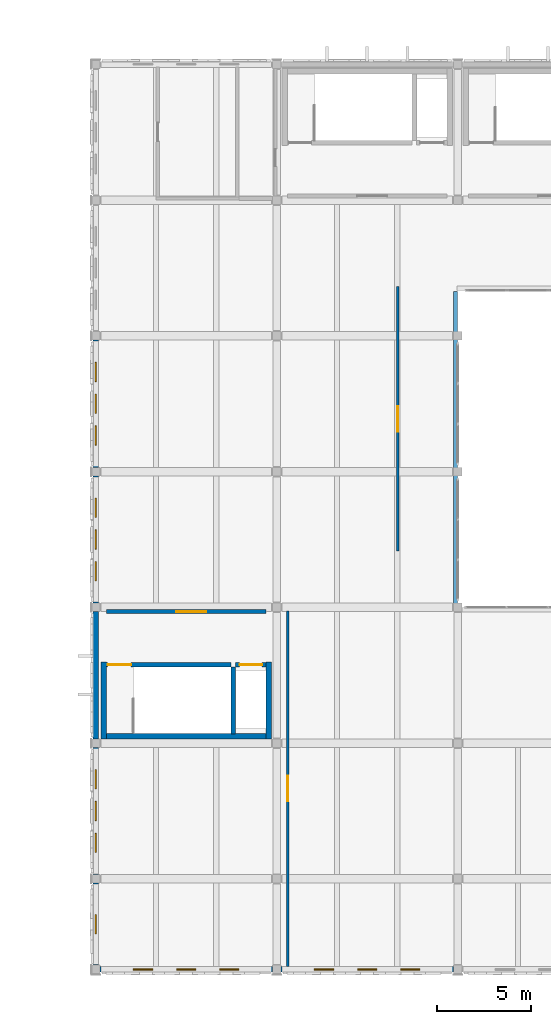
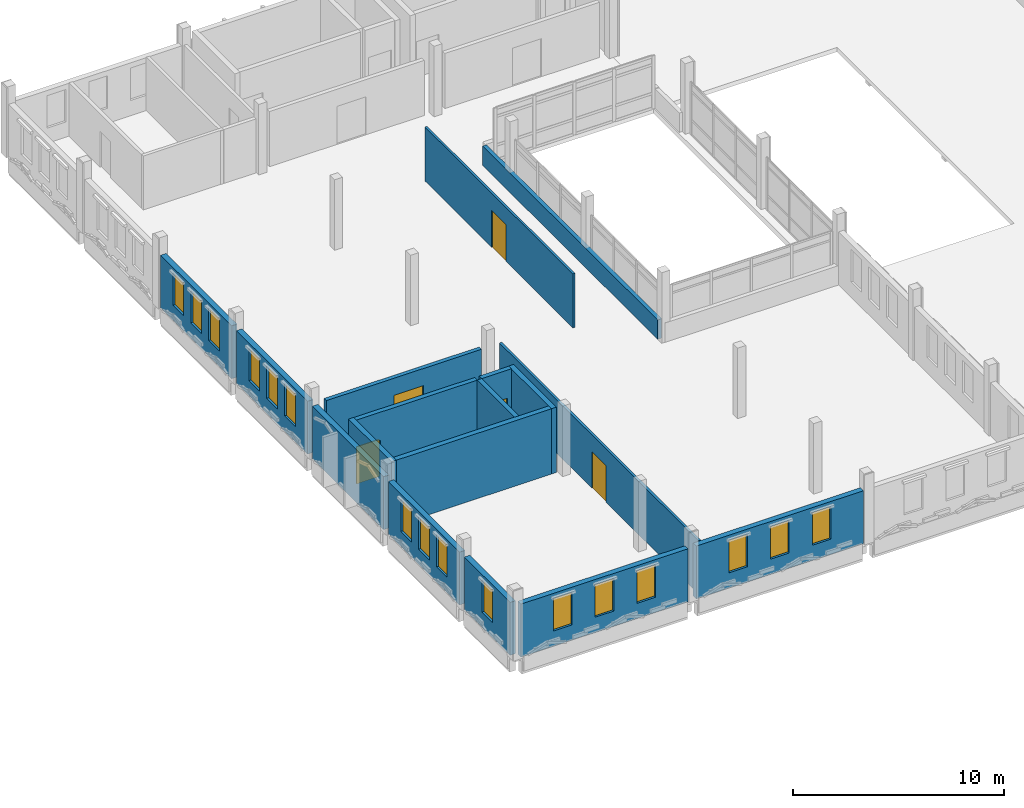
# One storey, part 35 of 50: 17 walls, 16 windows, 5 doors, 21 openings.
"""IFC4 building model written with IfcOpenShell, lengths in metres."""

from ifc_helpers import new_model, si_unit, direction, frame, frame_2d, origin, place, context, subcontext, project, spatial, rectangle, extrude, material, layer, layer_set, type_object, element, fill, save


model = new_model("IFC4")

# Units and contexts
model_context = context("Model", 3, precision=1e-05, world=origin(), true_north=direction((0.0, 1.0)))
body_context = subcontext(model_context, "Body", "Model", "MODEL_VIEW")
ifc_project = project(units=[si_unit("LENGTHUNIT", "METRE"), si_unit("AREAUNIT", "SQUARE_METRE"), si_unit("VOLUMEUNIT", "CUBIC_METRE"), si_unit("PLANEANGLEUNIT", "RADIAN"), si_unit("MASSUNIT", "GRAM", prefix="KILO")], contexts=[model_context])

# Site, building, storey
site_placement = place(None, origin())
site = spatial("IfcSite", under=ifc_project, at=site_placement, CompositionType="ELEMENT")
building_placement = place(site_placement, origin())
building = spatial("IfcBuilding", under=site, at=building_placement, Name="Asteropetra Specialist Clinic", CompositionType="ELEMENT")
storey_placement = place(building_placement, frame((0.0, 0.0, 16.659912109375)))
storey = spatial("IfcBuildingStorey", under=building, at=storey_placement, Name="L04", CompositionType="ELEMENT", Elevation=16.659912109375)

# Wall, openings, windows
ifc_material_1 = material(Name="Chevron sage", Category="masonry")
ifc_layer_1 = layer(ifc_material_1, 0.294921875)
ifc_layer_set_1 = layer_set([ifc_layer_1], Name="Chevron sage")
wall_type_1 = type_object("IfcWallType", Name="EW-CHEV-AEG-295", PredefinedType="SOLIDWALL", material=ifc_layer_set_1)
wall_1_placement = place(storey_placement, frame((105.824951171875, 0.0, 0.0), z_axis=(0.0, 0.0, 1.0), x_axis=(1.0, 0.0, 0.0)))
wall_1 = element("IfcWall", 1, at=wall_1_placement, inside=storey, type_object=wall_type_1, Name="Exterior Wall EW-0279", PredefinedType="SOLIDWALL", context=body_context, shape_type="SweptSolid", body=[
    extrude(rectangle(XDim=9.150146484375, YDim=0.294921875, at=frame_2d((4.5751953125, 0.0))), origin(), (0.0, 0.0, 1.0), 3.06005859375),
])
opening_1_placement = place(wall_1_placement, frame((1.777587890625, 0.0, 0.8798828125)))
opening_1 = element("IfcOpeningElement", 2, at=opening_1_placement, cuts=wall_1, Name="Opening W-0164", PredefinedType="OPENING", context=body_context, shape_type="SweptSolid", body=[
    extrude(rectangle(XDim=1.02001953125, YDim=1.8798828125, at=frame_2d((0.510009765625, 0.93994140625))), frame((0.0, 0.157470703125, 0.0), z_axis=(0.0, -1.0, 0.0), x_axis=(1.0, 0.0, 0.0)), (0.0, 0.0, 1.0), 0.31494140625),
])
opening_2_placement = place(wall_1_placement, frame((4.06494140625, 0.0, 0.8798828125)))
opening_2 = element("IfcOpeningElement", 3, at=opening_2_placement, cuts=wall_1, Name="Opening W-0165", PredefinedType="OPENING", context=body_context, shape_type="SweptSolid", body=[
    extrude(rectangle(XDim=1.02001953125, YDim=1.8798828125, at=frame_2d((0.510009765625, 0.93994140625))), frame((0.0, 0.157470703125, 0.0), z_axis=(0.0, -1.0, 0.0), x_axis=(1.0, 0.0, 0.0)), (0.0, 0.0, 1.0), 0.31494140625),
])
opening_3_placement = place(wall_1_placement, frame((6.3525390625, 0.0, 0.8798828125)))
opening_3 = element("IfcOpeningElement", 4, at=opening_3_placement, cuts=wall_1, Name="Opening W-0166", PredefinedType="OPENING", context=body_context, shape_type="SweptSolid", body=[
    extrude(rectangle(XDim=1.02001953125, YDim=1.8798828125, at=frame_2d((0.510009765625, 0.93994140625))), frame((0.0, 0.157470703125, 0.0), z_axis=(0.0, -1.0, 0.0), x_axis=(1.0, 0.0, 0.0)), (0.0, 0.0, 1.0), 0.31494140625),
])
ifc_material_2 = material(Name="Thermally broken bronze aluminium and low-E glass", Category="aluminium")
window_type = type_object("IfcWindowType", Name="WIN-T31", PartitioningType="SINGLE_PANEL", PredefinedType="WINDOW", material=ifc_material_2)
window_1_placement = place(opening_1_placement, origin())
window_1 = element("IfcWindow", 5, at=window_1_placement, inside=storey, type_object=window_type, Name="Window W-0164", OverallHeight=1.8798828125, OverallWidth=1.02001953125, PartitioningType="SINGLE_PANEL", PredefinedType="WINDOW", context=body_context, shape_type="SweptSolid", body=[
    extrude(rectangle(XDim=1.02001953125, YDim=1.8798828125, at=frame_2d((0.510009765625, 0.93994140625))), frame((0.0, 0.030029296875, 0.0), z_axis=(0.0, -1.0, 0.0), x_axis=(1.0, 0.0, 0.0)), (0.0, 0.0, 1.0), 0.06005859375),
])
fill(opening_1, window_1)
window_2_placement = place(opening_2_placement, origin())
window_2 = element("IfcWindow", 6, at=window_2_placement, inside=storey, type_object=window_type, Name="Window W-0165", OverallHeight=1.8798828125, OverallWidth=1.02001953125, PartitioningType="SINGLE_PANEL", PredefinedType="WINDOW", context=body_context, shape_type="SweptSolid", body=[
    extrude(rectangle(XDim=1.02001953125, YDim=1.8798828125, at=frame_2d((0.510009765625, 0.93994140625))), frame((0.0, 0.030029296875, 0.0), z_axis=(0.0, -1.0, 0.0), x_axis=(1.0, 0.0, 0.0)), (0.0, 0.0, 1.0), 0.06005859375),
])
fill(opening_2, window_2)
window_3_placement = place(opening_3_placement, origin())
window_3 = element("IfcWindow", 7, at=window_3_placement, inside=storey, type_object=window_type, Name="Window W-0166", OverallHeight=1.8798828125, OverallWidth=1.02001953125, PartitioningType="SINGLE_PANEL", PredefinedType="WINDOW", context=body_context, shape_type="SweptSolid", body=[
    extrude(rectangle(XDim=1.02001953125, YDim=1.8798828125, at=frame_2d((0.510009765625, 0.93994140625))), frame((0.0, 0.030029296875, 0.0), z_axis=(0.0, -1.0, 0.0), x_axis=(1.0, 0.0, 0.0)), (0.0, 0.0, 1.0), 0.06005859375),
])
fill(opening_3, window_3)

wall_2_placement = place(storey_placement, frame((115.425048828125, 0.0, 0.0), z_axis=(0.0, 0.0, 1.0), x_axis=(1.0, 0.0, 0.0)))
wall_2 = element("IfcWall", 8, at=wall_2_placement, inside=storey, type_object=wall_type_1, Name="Exterior Wall EW-0281", PredefinedType="SOLIDWALL", context=body_context, shape_type="SweptSolid", body=[
    extrude(rectangle(XDim=9.14990234375, YDim=0.294921875, at=frame_2d((4.574951171875, 0.0))), origin(), (0.0, 0.0, 1.0), 3.06005859375),
])
opening_4_placement = place(wall_2_placement, frame((1.777587890625, 0.0, 0.8798828125)))
opening_4 = element("IfcOpeningElement", 9, at=opening_4_placement, cuts=wall_2, Name="Opening W-0170", PredefinedType="OPENING", context=body_context, shape_type="SweptSolid", body=[
    extrude(rectangle(XDim=1.02001953125, YDim=1.8798828125, at=frame_2d((0.510009765625, 0.93994140625))), frame((0.0, 0.157470703125, 0.0), z_axis=(0.0, -1.0, 0.0), x_axis=(1.0, 0.0, 0.0)), (0.0, 0.0, 1.0), 0.31494140625),
])
opening_5_placement = place(wall_2_placement, frame((4.06494140625, 0.0, 0.8798828125)))
opening_5 = element("IfcOpeningElement", 10, at=opening_5_placement, cuts=wall_2, Name="Opening W-0171", PredefinedType="OPENING", context=body_context, shape_type="SweptSolid", body=[
    extrude(rectangle(XDim=1.02001953125, YDim=1.8798828125, at=frame_2d((0.510009765625, 0.93994140625))), frame((0.0, 0.157470703125, 0.0), z_axis=(0.0, -1.0, 0.0), x_axis=(1.0, 0.0, 0.0)), (0.0, 0.0, 1.0), 0.31494140625),
])
opening_6_placement = place(wall_2_placement, frame((6.3525390625, 0.0, 0.8798828125)))
opening_6 = element("IfcOpeningElement", 11, at=opening_6_placement, cuts=wall_2, Name="Opening W-0172", PredefinedType="OPENING", context=body_context, shape_type="SweptSolid", body=[
    extrude(rectangle(XDim=1.02001953125, YDim=1.8798828125, at=frame_2d((0.510009765625, 0.93994140625))), frame((0.0, 0.157470703125, 0.0), z_axis=(0.0, -1.0, 0.0), x_axis=(1.0, 0.0, 0.0)), (0.0, 0.0, 1.0), 0.31494140625),
])
window_4_placement = place(opening_4_placement, origin())
window_4 = element("IfcWindow", 12, at=window_4_placement, inside=storey, type_object=window_type, Name="Window W-0170", OverallHeight=1.8798828125, OverallWidth=1.02001953125, PartitioningType="SINGLE_PANEL", PredefinedType="WINDOW", context=body_context, shape_type="SweptSolid", body=[
    extrude(rectangle(XDim=1.02001953125, YDim=1.8798828125, at=frame_2d((0.510009765625, 0.93994140625))), frame((0.0, 0.030029296875, 0.0), z_axis=(0.0, -1.0, 0.0), x_axis=(1.0, 0.0, 0.0)), (0.0, 0.0, 1.0), 0.06005859375),
])
fill(opening_4, window_4)
window_5_placement = place(opening_5_placement, origin())
window_5 = element("IfcWindow", 13, at=window_5_placement, inside=storey, type_object=window_type, Name="Window W-0171", OverallHeight=1.8798828125, OverallWidth=1.02001953125, PartitioningType="SINGLE_PANEL", PredefinedType="WINDOW", context=body_context, shape_type="SweptSolid", body=[
    extrude(rectangle(XDim=1.02001953125, YDim=1.8798828125, at=frame_2d((0.510009765625, 0.93994140625))), frame((0.0, 0.030029296875, 0.0), z_axis=(0.0, -1.0, 0.0), x_axis=(1.0, 0.0, 0.0)), (0.0, 0.0, 1.0), 0.06005859375),
])
fill(opening_5, window_5)
window_6_placement = place(opening_6_placement, origin())
window_6 = element("IfcWindow", 14, at=window_6_placement, inside=storey, type_object=window_type, Name="Window W-0172", OverallHeight=1.8798828125, OverallWidth=1.02001953125, PartitioningType="SINGLE_PANEL", PredefinedType="WINDOW", context=body_context, shape_type="SweptSolid", body=[
    extrude(rectangle(XDim=1.02001953125, YDim=1.8798828125, at=frame_2d((0.510009765625, 0.93994140625))), frame((0.0, 0.030029296875, 0.0), z_axis=(0.0, -1.0, 0.0), x_axis=(1.0, 0.0, 0.0)), (0.0, 0.0, 1.0), 0.06005859375),
])
fill(opening_6, window_6)

# Wall, opening, window
wall_3_placement = place(storey_placement, frame((105.60009765625, 4.574951171875, 0.0), z_axis=(0.0, 0.0, 1.0), x_axis=(0.0, -1.0, 0.0)))
wall_3 = element("IfcWall", 15, at=wall_3_placement, inside=storey, type_object=wall_type_1, Name="Exterior Wall EW-0285", PredefinedType="SOLIDWALL", context=body_context, shape_type="SweptSolid", body=[
    extrude(rectangle(XDim=4.349853515625, YDim=0.294921875, at=frame_2d((2.1748046875, 0.0))), origin(), (0.0, 0.0, 1.0), 3.06005859375),
])
opening_7_placement = place(wall_3_placement, frame((1.6650390625, 0.0, 0.8798828125)))
opening_7 = element("IfcOpeningElement", 16, at=opening_7_placement, cuts=wall_3, Name="Opening W-0176", PredefinedType="OPENING", context=body_context, shape_type="SweptSolid", body=[
    extrude(rectangle(XDim=1.02001953125, YDim=1.8798828125, at=frame_2d((0.510009765625, 0.93994140625))), frame((0.0, 0.157470703125, 0.0), z_axis=(0.0, -1.0, 0.0), x_axis=(1.0, 0.0, 0.0)), (0.0, 0.0, 1.0), 0.31494140625),
])
window_7_placement = place(opening_7_placement, origin())
window_7 = element("IfcWindow", 17, at=window_7_placement, inside=storey, type_object=window_type, Name="Window W-0176", OverallHeight=1.8798828125, OverallWidth=1.02001953125, PartitioningType="SINGLE_PANEL", PredefinedType="WINDOW", context=body_context, shape_type="SweptSolid", body=[
    extrude(rectangle(XDim=1.02001953125, YDim=1.8798828125, at=frame_2d((0.510009765625, 0.93994140625))), frame((0.0, 0.030029296875, 0.0), z_axis=(0.0, -1.0, 0.0), x_axis=(1.0, 0.0, 0.0)), (0.0, 0.0, 1.0), 0.06005859375),
])
fill(opening_7, window_7)

# Wall, openings, windows
wall_4_placement = place(storey_placement, frame((105.60009765625, 11.77490234375, 0.0), z_axis=(0.0, 0.0, 1.0), x_axis=(0.0, -1.0, 0.0)))
wall_4 = element("IfcWall", 18, at=wall_4_placement, inside=storey, type_object=wall_type_1, Name="Exterior Wall EW-0287", PredefinedType="SOLIDWALL", context=body_context, shape_type="SweptSolid", body=[
    extrude(rectangle(XDim=6.75, YDim=0.294921875, at=frame_2d((3.375, 0.0))), origin(), (0.0, 0.0, 1.0), 3.06005859375),
])
opening_8_placement = place(wall_4_placement, frame((1.177490234375, 0.0, 0.8798828125)))
opening_8 = element("IfcOpeningElement", 19, at=opening_8_placement, cuts=wall_4, Name="Opening W-0178", PredefinedType="OPENING", context=body_context, shape_type="SweptSolid", body=[
    extrude(rectangle(XDim=1.02001953125, YDim=1.8798828125, at=frame_2d((0.510009765625, 0.93994140625))), frame((0.0, 0.157470703125, 0.0), z_axis=(0.0, -1.0, 0.0), x_axis=(1.0, 0.0, 0.0)), (0.0, 0.0, 1.0), 0.31494140625),
])
opening_9_placement = place(wall_4_placement, frame((2.864990234375, 0.0, 0.8798828125)))
opening_9 = element("IfcOpeningElement", 20, at=opening_9_placement, cuts=wall_4, Name="Opening W-0179", PredefinedType="OPENING", context=body_context, shape_type="SweptSolid", body=[
    extrude(rectangle(XDim=1.02001953125, YDim=1.8798828125, at=frame_2d((0.510009765625, 0.93994140625))), frame((0.0, 0.157470703125, 0.0), z_axis=(0.0, -1.0, 0.0), x_axis=(1.0, 0.0, 0.0)), (0.0, 0.0, 1.0), 0.31494140625),
])
opening_10_placement = place(wall_4_placement, frame((4.552490234375, 0.0, 0.8798828125)))
opening_10 = element("IfcOpeningElement", 21, at=opening_10_placement, cuts=wall_4, Name="Opening W-0180", PredefinedType="OPENING", context=body_context, shape_type="SweptSolid", body=[
    extrude(rectangle(XDim=1.02001953125, YDim=1.8798828125, at=frame_2d((0.510009765625, 0.93994140625))), frame((0.0, 0.157470703125, 0.0), z_axis=(0.0, -1.0, 0.0), x_axis=(1.0, 0.0, 0.0)), (0.0, 0.0, 1.0), 0.31494140625),
])
window_8_placement = place(opening_8_placement, origin())
window_8 = element("IfcWindow", 22, at=window_8_placement, inside=storey, type_object=window_type, Name="Window W-0178", OverallHeight=1.8798828125, OverallWidth=1.02001953125, PartitioningType="SINGLE_PANEL", PredefinedType="WINDOW", context=body_context, shape_type="SweptSolid", body=[
    extrude(rectangle(XDim=1.02001953125, YDim=1.8798828125, at=frame_2d((0.510009765625, 0.93994140625))), frame((0.0, 0.030029296875, 0.0), z_axis=(0.0, -1.0, 0.0), x_axis=(1.0, 0.0, 0.0)), (0.0, 0.0, 1.0), 0.06005859375),
])
fill(opening_8, window_8)
window_9_placement = place(opening_9_placement, origin())
window_9 = element("IfcWindow", 23, at=window_9_placement, inside=storey, type_object=window_type, Name="Window W-0179", OverallHeight=1.8798828125, OverallWidth=1.02001953125, PartitioningType="SINGLE_PANEL", PredefinedType="WINDOW", context=body_context, shape_type="SweptSolid", body=[
    extrude(rectangle(XDim=1.02001953125, YDim=1.8798828125, at=frame_2d((0.510009765625, 0.93994140625))), frame((0.0, 0.030029296875, 0.0), z_axis=(0.0, -1.0, 0.0), x_axis=(1.0, 0.0, 0.0)), (0.0, 0.0, 1.0), 0.06005859375),
])
fill(opening_9, window_9)
window_10_placement = place(opening_10_placement, origin())
window_10 = element("IfcWindow", 24, at=window_10_placement, inside=storey, type_object=window_type, Name="Window W-0180", OverallHeight=1.8798828125, OverallWidth=1.02001953125, PartitioningType="SINGLE_PANEL", PredefinedType="WINDOW", context=body_context, shape_type="SweptSolid", body=[
    extrude(rectangle(XDim=1.02001953125, YDim=1.8798828125, at=frame_2d((0.510009765625, 0.93994140625))), frame((0.0, 0.030029296875, 0.0), z_axis=(0.0, -1.0, 0.0), x_axis=(1.0, 0.0, 0.0)), (0.0, 0.0, 1.0), 0.06005859375),
])
fill(opening_10, window_10)

# Wall
wall_5_placement = place(storey_placement, frame((105.60009765625, 18.97509765625, 0.0), z_axis=(0.0, 0.0, 1.0), x_axis=(0.0, -1.0, 0.0)))
element("IfcWall", 25, at=wall_5_placement, inside=storey, type_object=wall_type_1, Name="Exterior Wall EW-0289", PredefinedType="SOLIDWALL", context=body_context, shape_type="SweptSolid", body=[
    extrude(rectangle(XDim=6.75, YDim=0.294921875, at=frame_2d((3.375, 0.0))), origin(), (0.0, 0.0, 1.0), 3.06005859375),
])

# Wall, openings, windows
wall_6_placement = place(storey_placement, frame((105.60009765625, 26.175048828125, 0.0), z_axis=(0.0, 0.0, 1.0), x_axis=(0.0, -1.0, 0.0)))
wall_6 = element("IfcWall", 26, at=wall_6_placement, inside=storey, type_object=wall_type_1, Name="Exterior Wall EW-0291", PredefinedType="SOLIDWALL", context=body_context, shape_type="SweptSolid", body=[
    extrude(rectangle(XDim=6.75, YDim=0.294921875, at=frame_2d((3.375, 0.0))), origin(), (0.0, 0.0, 1.0), 3.06005859375),
])
opening_11_placement = place(wall_6_placement, frame((1.177490234375, 0.0, 0.8798828125)))
opening_11 = element("IfcOpeningElement", 27, at=opening_11_placement, cuts=wall_6, Name="Opening W-0187", PredefinedType="OPENING", context=body_context, shape_type="SweptSolid", body=[
    extrude(rectangle(XDim=1.02001953125, YDim=1.8798828125, at=frame_2d((0.510009765625, 0.93994140625))), frame((0.0, 0.157470703125, 0.0), z_axis=(0.0, -1.0, 0.0), x_axis=(1.0, 0.0, 0.0)), (0.0, 0.0, 1.0), 0.31494140625),
])
opening_12_placement = place(wall_6_placement, frame((2.864990234375, 0.0, 0.8798828125)))
opening_12 = element("IfcOpeningElement", 28, at=opening_12_placement, cuts=wall_6, Name="Opening W-0188", PredefinedType="OPENING", context=body_context, shape_type="SweptSolid", body=[
    extrude(rectangle(XDim=1.02001953125, YDim=1.8798828125, at=frame_2d((0.510009765625, 0.93994140625))), frame((0.0, 0.157470703125, 0.0), z_axis=(0.0, -1.0, 0.0), x_axis=(1.0, 0.0, 0.0)), (0.0, 0.0, 1.0), 0.31494140625),
])
opening_13_placement = place(wall_6_placement, frame((4.552490234375, 0.0, 0.8798828125)))
opening_13 = element("IfcOpeningElement", 29, at=opening_13_placement, cuts=wall_6, Name="Opening W-0189", PredefinedType="OPENING", context=body_context, shape_type="SweptSolid", body=[
    extrude(rectangle(XDim=1.02001953125, YDim=1.8798828125, at=frame_2d((0.510009765625, 0.93994140625))), frame((0.0, 0.157470703125, 0.0), z_axis=(0.0, -1.0, 0.0), x_axis=(1.0, 0.0, 0.0)), (0.0, 0.0, 1.0), 0.31494140625),
])
window_11_placement = place(opening_11_placement, origin())
window_11 = element("IfcWindow", 30, at=window_11_placement, inside=storey, type_object=window_type, Name="Window W-0187", OverallHeight=1.8798828125, OverallWidth=1.02001953125, PartitioningType="SINGLE_PANEL", PredefinedType="WINDOW", context=body_context, shape_type="SweptSolid", body=[
    extrude(rectangle(XDim=1.02001953125, YDim=1.8798828125, at=frame_2d((0.510009765625, 0.93994140625))), frame((0.0, 0.030029296875, 0.0), z_axis=(0.0, -1.0, 0.0), x_axis=(1.0, 0.0, 0.0)), (0.0, 0.0, 1.0), 0.06005859375),
])
fill(opening_11, window_11)
window_12_placement = place(opening_12_placement, origin())
window_12 = element("IfcWindow", 31, at=window_12_placement, inside=storey, type_object=window_type, Name="Window W-0188", OverallHeight=1.8798828125, OverallWidth=1.02001953125, PartitioningType="SINGLE_PANEL", PredefinedType="WINDOW", context=body_context, shape_type="SweptSolid", body=[
    extrude(rectangle(XDim=1.02001953125, YDim=1.8798828125, at=frame_2d((0.510009765625, 0.93994140625))), frame((0.0, 0.030029296875, 0.0), z_axis=(0.0, -1.0, 0.0), x_axis=(1.0, 0.0, 0.0)), (0.0, 0.0, 1.0), 0.06005859375),
])
fill(opening_12, window_12)
window_13_placement = place(opening_13_placement, origin())
window_13 = element("IfcWindow", 32, at=window_13_placement, inside=storey, type_object=window_type, Name="Window W-0189", OverallHeight=1.8798828125, OverallWidth=1.02001953125, PartitioningType="SINGLE_PANEL", PredefinedType="WINDOW", context=body_context, shape_type="SweptSolid", body=[
    extrude(rectangle(XDim=1.02001953125, YDim=1.8798828125, at=frame_2d((0.510009765625, 0.93994140625))), frame((0.0, 0.030029296875, 0.0), z_axis=(0.0, -1.0, 0.0), x_axis=(1.0, 0.0, 0.0)), (0.0, 0.0, 1.0), 0.06005859375),
])
fill(opening_13, window_13)

wall_7_placement = place(storey_placement, frame((105.60009765625, 33.375, 0.0), z_axis=(0.0, 0.0, 1.0), x_axis=(0.0, -1.0, 0.0)))
wall_7 = element("IfcWall", 33, at=wall_7_placement, inside=storey, type_object=wall_type_1, Name="Exterior Wall EW-0292", PredefinedType="SOLIDWALL", context=body_context, shape_type="SweptSolid", body=[
    extrude(rectangle(XDim=6.75, YDim=0.294921875, at=frame_2d((3.375, 0.0))), origin(), (0.0, 0.0, 1.0), 3.06005859375),
])
opening_14_placement = place(wall_7_placement, frame((1.177490234375, 0.0, 0.8798828125)))
opening_14 = element("IfcOpeningElement", 34, at=opening_14_placement, cuts=wall_7, Name="Opening W-0190", PredefinedType="OPENING", context=body_context, shape_type="SweptSolid", body=[
    extrude(rectangle(XDim=1.02001953125, YDim=1.8798828125, at=frame_2d((0.510009765625, 0.93994140625))), frame((0.0, 0.157470703125, 0.0), z_axis=(0.0, -1.0, 0.0), x_axis=(1.0, 0.0, 0.0)), (0.0, 0.0, 1.0), 0.31494140625),
])
opening_15_placement = place(wall_7_placement, frame((2.864990234375, 0.0, 0.8798828125)))
opening_15 = element("IfcOpeningElement", 35, at=opening_15_placement, cuts=wall_7, Name="Opening W-0191", PredefinedType="OPENING", context=body_context, shape_type="SweptSolid", body=[
    extrude(rectangle(XDim=1.02001953125, YDim=1.8798828125, at=frame_2d((0.510009765625, 0.93994140625))), frame((0.0, 0.157470703125, 0.0), z_axis=(0.0, -1.0, 0.0), x_axis=(1.0, 0.0, 0.0)), (0.0, 0.0, 1.0), 0.31494140625),
])
opening_16_placement = place(wall_7_placement, frame((4.552490234375, 0.0, 0.8798828125)))
opening_16 = element("IfcOpeningElement", 36, at=opening_16_placement, cuts=wall_7, Name="Opening W-0192", PredefinedType="OPENING", context=body_context, shape_type="SweptSolid", body=[
    extrude(rectangle(XDim=1.02001953125, YDim=1.8798828125, at=frame_2d((0.510009765625, 0.93994140625))), frame((0.0, 0.157470703125, 0.0), z_axis=(0.0, -1.0, 0.0), x_axis=(1.0, 0.0, 0.0)), (0.0, 0.0, 1.0), 0.31494140625),
])
window_14_placement = place(opening_14_placement, origin())
window_14 = element("IfcWindow", 37, at=window_14_placement, inside=storey, type_object=window_type, Name="Window W-0190", OverallHeight=1.8798828125, OverallWidth=1.02001953125, PartitioningType="SINGLE_PANEL", PredefinedType="WINDOW", context=body_context, shape_type="SweptSolid", body=[
    extrude(rectangle(XDim=1.02001953125, YDim=1.8798828125, at=frame_2d((0.510009765625, 0.93994140625))), frame((0.0, 0.030029296875, 0.0), z_axis=(0.0, -1.0, 0.0), x_axis=(1.0, 0.0, 0.0)), (0.0, 0.0, 1.0), 0.06005859375),
])
fill(opening_14, window_14)
window_15_placement = place(opening_15_placement, origin())
window_15 = element("IfcWindow", 38, at=window_15_placement, inside=storey, type_object=window_type, Name="Window W-0191", OverallHeight=1.8798828125, OverallWidth=1.02001953125, PartitioningType="SINGLE_PANEL", PredefinedType="WINDOW", context=body_context, shape_type="SweptSolid", body=[
    extrude(rectangle(XDim=1.02001953125, YDim=1.8798828125, at=frame_2d((0.510009765625, 0.93994140625))), frame((0.0, 0.030029296875, 0.0), z_axis=(0.0, -1.0, 0.0), x_axis=(1.0, 0.0, 0.0)), (0.0, 0.0, 1.0), 0.06005859375),
])
fill(opening_15, window_15)
window_16_placement = place(opening_16_placement, origin())
window_16 = element("IfcWindow", 39, at=window_16_placement, inside=storey, type_object=window_type, Name="Window W-0192", OverallHeight=1.8798828125, OverallWidth=1.02001953125, PartitioningType="SINGLE_PANEL", PredefinedType="WINDOW", context=body_context, shape_type="SweptSolid", body=[
    extrude(rectangle(XDim=1.02001953125, YDim=1.8798828125, at=frame_2d((0.510009765625, 0.93994140625))), frame((0.0, 0.030029296875, 0.0), z_axis=(0.0, -1.0, 0.0), x_axis=(1.0, 0.0, 0.0)), (0.0, 0.0, 1.0), 0.06005859375),
])
fill(opening_16, window_16)

# Wall
ifc_material_3 = material(Name="Piraeus poros limestone", Category="masonry")
ifc_layer_2 = layer(ifc_material_3, 0.219970703125)
ifc_layer_set_2 = layer_set([ifc_layer_2], Name="Piraeus poros limestone")
wall_type_2 = type_object("IfcWallType", Name="EW-PARAPET-220", PredefinedType="PARAPET", material=ifc_layer_set_2)
wall_8_placement = place(storey_placement, frame((124.679931640625, 19.35009765625, 0.0), z_axis=(0.0, 0.0, 1.0), x_axis=(0.0, 1.0, 0.0)))
element("IfcWall", 40, at=wall_8_placement, inside=storey, type_object=wall_type_2, Name="Roof Parapet WP-26", PredefinedType="PARAPET", context=body_context, shape_type="SweptSolid", body=[
    extrude(rectangle(XDim=16.599853515625, YDim=0.219970703125, at=frame_2d((8.2998046875, 0.0))), origin(), (0.0, 0.0, 1.0), 1.1201171875),
])

# Wall, opening, door
ifc_material_4 = material(Name="Fire-rated masonry and gypsum", Category="masonry")
ifc_layer_3 = layer(ifc_material_4, 0.219970703125)
ifc_layer_set_3 = layer_set([ifc_layer_3], Name="Fire-rated masonry and gypsum")
wall_type_3 = type_object("IfcWallType", Name="W-COMP-220", PredefinedType="PARTITIONING", material=ifc_layer_set_3)
wall_9_placement = place(storey_placement, frame((106.159912109375, 18.97998046875, 0.0), z_axis=(0.0, 0.0, 1.0), x_axis=(1.0, 0.0, 0.0)))
wall_9 = element("IfcWall", 41, at=wall_9_placement, inside=storey, type_object=wall_type_3, Name="Core Wall CW-C8-L04-LOB", PredefinedType="PARTITIONING", context=body_context, shape_type="SweptSolid", body=[
    extrude(rectangle(XDim=8.47998046875, YDim=0.219970703125, at=frame_2d((4.239990234375, 0.0))), origin(), (0.0, 0.0, 1.0), 3.190185546875),
])
opening_17_placement = place(wall_9_placement, frame((3.699951171875, 0.0, 0.0)))
opening_17 = element("IfcOpeningElement", 42, at=opening_17_placement, cuts=wall_9, Name="Opening FD-074", PredefinedType="OPENING", context=body_context, shape_type="SweptSolid", body=[
    extrude(rectangle(XDim=1.60009765625, YDim=2.199951171875, at=frame_2d((0.800048828125, 1.10009765625))), frame((0.0, 0.119873046875, 0.0), z_axis=(0.0, -1.0, 0.0), x_axis=(1.0, 0.0, 0.0)), (0.0, 0.0, 1.0), 0.239990234375),
])
ifc_material_5 = material(Name="Fire-rated steel and vision glass door", Category="steel")
door_type_1 = type_object("IfcDoorType", Name="FD-LOBBY-1600", OperationType="DOUBLE_DOOR_SINGLE_SWING", PredefinedType="DOOR", material=ifc_material_5)
door_1_placement = place(opening_17_placement, origin())
door_1 = element("IfcDoor", 43, at=door_1_placement, inside=storey, type_object=door_type_1, Name="Lobby Fire Door FD-074", OperationType="DOUBLE_DOOR_SINGLE_SWING", OverallHeight=2.199951171875, OverallWidth=1.60009765625, PredefinedType="DOOR", context=body_context, shape_type="SweptSolid", body=[
    extrude(rectangle(XDim=1.60009765625, YDim=2.199951171875, at=frame_2d((0.800048828125, 1.10009765625))), frame((0.0, 0.02490234375, 0.0), z_axis=(0.0, -1.0, 0.0), x_axis=(1.0, 0.0, 0.0)), (0.0, 0.0, 1.0), 0.050048828125),
])
fill(opening_17, door_1)

# Walls
ifc_material_6 = material(Name="Concrete C35/45", Category="concrete")
ifc_layer_4 = layer(ifc_material_6, 0.280029296875)
ifc_layer_set_4 = layer_set([ifc_layer_4], Name="Concrete C35/45")
wall_type_4 = type_object("IfcWallType", Name="W-CORE-280", PredefinedType="SHEAR", material=ifc_layer_set_4)
for number, where, z_axis, x_axis, name in (
    (44, (106.02001953125, 12.219970703125, 0.0), (0.0, 0.0, 1.0), (0.0, 1.0, 0.0), "Core Wall CW-C8-L04-W"),
    (45, (114.780029296875, 12.219970703125, 0.0), (0.0, 0.0, 1.0), (0.0, 1.0, 0.0), "Core Wall CW-C8-L04-E"),
):
    element("IfcWall", number, at=place(storey_placement, frame(where, z_axis=z_axis, x_axis=x_axis)), inside=storey, type_object=wall_type_4, Name=name, PredefinedType="SHEAR", context=body_context, shape_type="SweptSolid", body=[
        extrude(rectangle(XDim=4.080078125, YDim=0.280029296875, at=frame_2d((2.0400390625, 0.0))), origin(), (0.0, 0.0, 1.0), 3.780029296875),
    ])
wall_10_placement = place(storey_placement, frame((106.155029296875, 12.360107421875, 0.0), z_axis=(0.0, 0.0, 1.0), x_axis=(1.0, 0.0, 0.0)))
element("IfcWall", 46, at=wall_10_placement, inside=storey, type_object=wall_type_4, Name="Core Wall CW-C8-L04-BACK", PredefinedType="SHEAR", context=body_context, shape_type="SweptSolid", body=[
    extrude(rectangle(XDim=8.489990234375, YDim=0.280029296875, at=frame_2d((4.2451171875, 0.0))), origin(), (0.0, 0.0, 1.0), 3.780029296875),
])

# Wall, opening, door
ifc_material_7 = material(Name="Light partition", Category="masonry")
ifc_layer_5 = layer(ifc_material_7, 0.1201171875)
ifc_layer_set_5 = layer_set([ifc_layer_5], Name="Light partition")
wall_type_5 = type_object("IfcWallType", Name="W-PART-120", PredefinedType="PARTITIONING", material=ifc_layer_set_5)
wall_11_placement = place(storey_placement, frame((121.6201171875, 22.179931640625, 0.0), z_axis=(0.0, 0.0, 1.0), x_axis=(0.0, 1.0, 0.0)))
wall_11 = element("IfcWall", 47, at=wall_11_placement, inside=storey, type_object=wall_type_5, Name="Interior Partition PW-0174", PredefinedType="PARTITIONING", context=body_context, shape_type="SweptSolid", body=[
    extrude(rectangle(XDim=14.0400390625, YDim=0.1201171875, at=frame_2d((7.02001953125, 0.0))), origin(), (0.0, 0.0, 1.0), 3.1201171875),
])
opening_18_placement = place(wall_11_placement, frame((6.344970703125, 0.0, 0.0)))
opening_18 = element("IfcOpeningElement", 48, at=opening_18_placement, cuts=wall_11, Name="Opening ID-0114", PredefinedType="OPENING", context=body_context, shape_type="SweptSolid", body=[
    extrude(rectangle(XDim=1.35009765625, YDim=2.1201171875, at=frame_2d((0.675048828125, 1.06005859375))), frame((0.0, 0.070068359375, 0.0), z_axis=(0.0, -1.0, 0.0), x_axis=(1.0, 0.0, 0.0)), (0.0, 0.0, 1.0), 0.14013671875),
])
ifc_material_8 = material(Name="Antimicrobial laminate timber leaf in steel frame", Category="steel")
door_type_2 = type_object("IfcDoorType", Name="ID-LAB-1350", OperationType="NOTDEFINED", PredefinedType="DOOR", material=ifc_material_8)
door_2_placement = place(opening_18_placement, origin())
door_2 = element("IfcDoor", 49, at=door_2_placement, inside=storey, type_object=door_type_2, Name="Interior Door ID-0114", OperationType="SINGLE_SWING_LEFT", OverallHeight=2.1201171875, OverallWidth=1.35009765625, PredefinedType="DOOR", context=body_context, shape_type="SweptSolid", body=[
    extrude(rectangle(XDim=1.35009765625, YDim=2.1201171875, at=frame_2d((0.675048828125, 1.06005859375))), frame((0.0, 0.02490234375, 0.0), z_axis=(0.0, -1.0, 0.0), x_axis=(1.0, 0.0, 0.0)), (0.0, 0.0, 1.0), 0.050048828125),
])
fill(opening_18, door_2)

ifc_material_9 = material(Name="Office and seminar partition", Category="masonry")
ifc_layer_6 = layer(ifc_material_9, 0.1298828125)
ifc_layer_set_6 = layer_set([ifc_layer_6], Name="Office and seminar partition")
wall_type_6 = type_object("IfcWallType", Name="W-PART-130", PredefinedType="PARTITIONING", material=ifc_layer_set_6)
wall_12_placement = place(storey_placement, frame((115.780029296875, 0.1494140625, 0.0), z_axis=(0.0, 0.0, 1.0), x_axis=(0.0, 1.0, 0.0)))
wall_12 = element("IfcWall", 50, at=wall_12_placement, inside=storey, type_object=wall_type_6, Name="Interior Partition PW-0173", PredefinedType="PARTITIONING", context=body_context, shape_type="SweptSolid", body=[
    extrude(rectangle(XDim=18.87060546875, YDim=0.1298828125, at=frame_2d((9.435302734375, 0.0))), origin(), (0.0, 0.0, 1.0), 3.090087890625),
])
opening_19_placement = place(wall_12_placement, frame((8.76025390625, 0.0, 0.0)))
opening_19 = element("IfcOpeningElement", 51, at=opening_19_placement, cuts=wall_12, Name="Opening ID-0113", PredefinedType="OPENING", context=body_context, shape_type="SweptSolid", body=[
    extrude(rectangle(XDim=1.35009765625, YDim=2.1201171875, at=frame_2d((0.675048828125, 1.06005859375))), frame((0.0, 0.074951171875, 0.0), z_axis=(0.0, -1.0, 0.0), x_axis=(1.0, 0.0, 0.0)), (0.0, 0.0, 1.0), 0.14990234375),
])
door_3_placement = place(opening_19_placement, origin())
door_3 = element("IfcDoor", 52, at=door_3_placement, inside=storey, type_object=door_type_2, Name="Interior Door ID-0113", OperationType="SINGLE_SWING_RIGHT", OverallHeight=2.1201171875, OverallWidth=1.35009765625, PredefinedType="DOOR", context=body_context, shape_type="SweptSolid", body=[
    extrude(rectangle(XDim=1.35009765625, YDim=2.1201171875, at=frame_2d((0.675048828125, 1.06005859375))), frame((0.0, 0.02490234375, 0.0), z_axis=(0.0, -1.0, 0.0), x_axis=(1.0, 0.0, 0.0)), (0.0, 0.0, 1.0), 0.050048828125),
])
fill(opening_19, door_3)

# Wall
ifc_material_10 = material(Name="Concrete C35/45", Category="concrete")
ifc_layer_7 = layer(ifc_material_10, 0.25)
ifc_layer_set_7 = layer_set([ifc_layer_7], Name="Concrete C35/45")
wall_type_7 = type_object("IfcWallType", Name="W-SHAFT-250", PredefinedType="SHEAR", material=ifc_layer_set_7)
wall_13_placement = place(storey_placement, frame((112.89990234375, 12.5, 0.0), z_axis=(0.0, 0.0, 1.0), x_axis=(0.0, 1.0, 0.0)))
element("IfcWall", 53, at=wall_13_placement, inside=storey, type_object=wall_type_7, Name="Core Wall CW-C8-L04-MID", PredefinedType="SHEAR", context=body_context, shape_type="SweptSolid", body=[
    extrude(rectangle(XDim=3.5400390625, YDim=0.25, at=frame_2d((1.77001953125, 0.0))), origin(), (0.0, 0.0, 1.0), 3.780029296875),
])

# Wall, opening, door
wall_14_placement = place(storey_placement, frame((106.155029296875, 16.159912109375, 0.0), z_axis=(0.0, 0.0, 1.0), x_axis=(1.0, 0.0, 0.0)))
wall_14 = element("IfcWall", 54, at=wall_14_placement, inside=storey, type_object=wall_type_7, Name="Core Wall CW-C8-L04-STDIV", PredefinedType="SHEAR", context=body_context, shape_type="SweptSolid", body=[
    extrude(rectangle(XDim=6.625, YDim=0.25, at=frame_2d((3.3125, 0.0))), origin(), (0.0, 0.0, 1.0), 3.780029296875),
])
opening_20_placement = place(wall_14_placement, frame((0.080078125, 0.0, 0.0)))
opening_20 = element("IfcOpeningElement", 55, at=opening_20_placement, cuts=wall_14, Name="Opening FD-073", PredefinedType="OPENING", context=body_context, shape_type="SweptSolid", body=[
    extrude(rectangle(XDim=1.239990234375, YDim=2.14990234375, at=frame_2d((0.6201171875, 1.074951171875))), frame((0.0, 0.135009765625, 0.0), z_axis=(0.0, -1.0, 0.0), x_axis=(1.0, 0.0, 0.0)), (0.0, 0.0, 1.0), 0.27001953125),
])
ifc_material_11 = material(Name="Fire-rated steel and vision glass door", Category="steel")
door_type_3 = type_object("IfcDoorType", Name="FD-STAIR-1400", OperationType="DOUBLE_DOOR_SINGLE_SWING", PredefinedType="DOOR", material=ifc_material_11)
door_4_placement = place(opening_20_placement, origin())
door_4 = element("IfcDoor", 56, at=door_4_placement, inside=storey, type_object=door_type_3, Name="Stair Fire Door FD-073", OperationType="DOUBLE_DOOR_SINGLE_SWING", OverallHeight=2.14990234375, OverallWidth=1.239990234375, PredefinedType="DOOR", context=body_context, shape_type="SweptSolid", body=[
    extrude(rectangle(XDim=1.239990234375, YDim=2.14990234375, at=frame_2d((0.6201171875, 1.074951171875))), frame((0.0, 0.02490234375, 0.0), z_axis=(0.0, -1.0, 0.0), x_axis=(1.0, 0.0, 0.0)), (0.0, 0.0, 1.0), 0.050048828125),
])
fill(opening_20, door_4)

wall_15_placement = place(storey_placement, frame((113.02001953125, 16.159912109375, 0.0), z_axis=(0.0, 0.0, 1.0), x_axis=(1.0, 0.0, 0.0)))
wall_15 = element("IfcWall", 57, at=wall_15_placement, inside=storey, type_object=wall_type_7, Name="Lift Shaft Front Wall CW-C8-L04-LFTF", PredefinedType="SHEAR", context=body_context, shape_type="SweptSolid", body=[
    extrude(rectangle(XDim=1.625, YDim=0.25, at=frame_2d((0.8125, 0.0))), origin(), (0.0, 0.0, 1.0), 3.780029296875),
])
opening_21_placement = place(wall_15_placement, frame((0.21240234375, 0.0, 0.0)))
opening_21 = element("IfcOpeningElement", 58, at=opening_21_placement, cuts=wall_15, Name="Opening LD-037", PredefinedType="OPENING", context=body_context, shape_type="SweptSolid", body=[
    extrude(rectangle(XDim=1.199951171875, YDim=2.14990234375, at=frame_2d((0.60009765625, 1.074951171875))), frame((0.0, 0.135009765625, 0.0), z_axis=(0.0, -1.0, 0.0), x_axis=(1.0, 0.0, 0.0)), (0.0, 0.0, 1.0), 0.27001953125),
])
ifc_material_12 = material(Name="Brushed stainless steel sliding lift landing door", Category="steel")
door_type_4 = type_object("IfcDoorType", Name="LD-FF-1200", OperationType="DOUBLE_DOOR_SLIDING", PredefinedType="DOOR", material=ifc_material_12)
door_5_placement = place(opening_21_placement, origin())
door_5 = element("IfcDoor", 59, at=door_5_placement, inside=storey, type_object=door_type_4, Name="Lift Landing Door LD-037", OperationType="DOUBLE_DOOR_SLIDING", OverallHeight=2.14990234375, OverallWidth=1.199951171875, PredefinedType="DOOR", context=body_context, shape_type="SweptSolid", body=[
    extrude(rectangle(XDim=1.199951171875, YDim=2.14990234375, at=frame_2d((0.60009765625, 1.074951171875))), frame((0.0, 0.02490234375, 0.0), z_axis=(0.0, -1.0, 0.0), x_axis=(1.0, 0.0, 0.0)), (0.0, 0.0, 1.0), 0.050048828125),
])
fill(opening_21, door_5)

save(model, "model.ifc")
